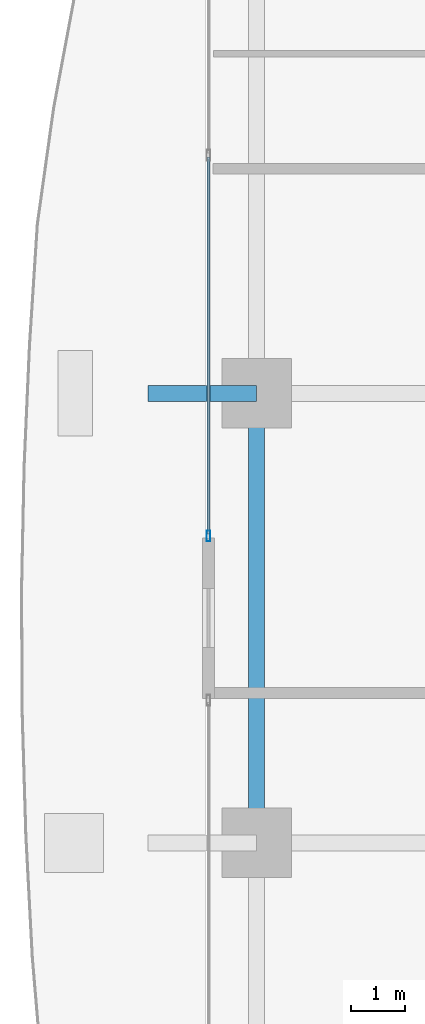
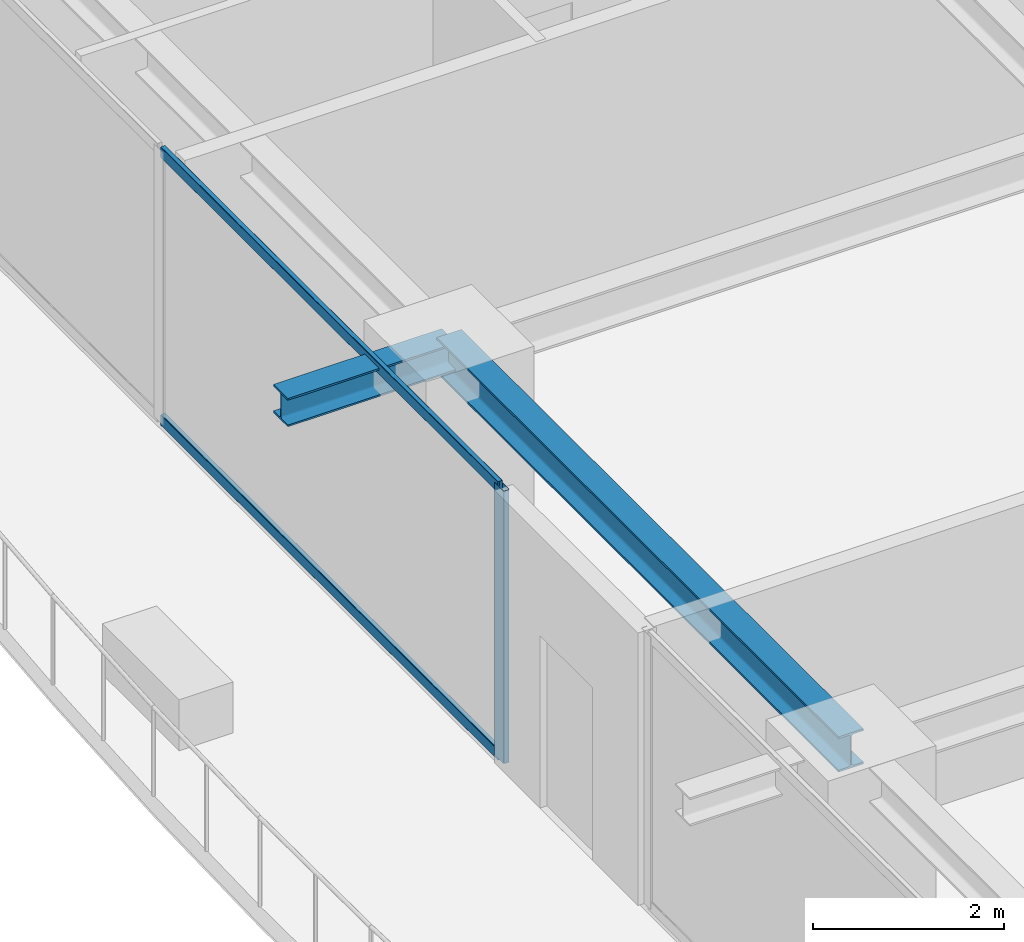
# One storey, part 9 of 35: 3 members, 2 beams, 1 element without a shape of its own.
"""IFC4 building model written with IfcOpenShell, lengths in metres."""

from ifc_helpers import new_model, si_unit, direction, frame, origin, origin_2d, place, context, subcontext, project, spatial, hollow_rectangle, i_section, extrude, source, transform, mapped, material, layer, layer_set, material_profile, profile_set, type_object, element, aggregate, save


model = new_model("IFC4")

# Units and contexts
model_context = context("Model", 3, precision=1e-05, world=origin(), true_north=direction((0.0, 1.0)))
body_context = subcontext(model_context, "Body", "Model", "MODEL_VIEW")
ifc_project = project(units=[si_unit("LENGTHUNIT", "METRE"), si_unit("AREAUNIT", "SQUARE_METRE"), si_unit("VOLUMEUNIT", "CUBIC_METRE"), si_unit("PLANEANGLEUNIT", "RADIAN"), si_unit("MASSUNIT", "GRAM", prefix="KILO")], contexts=[model_context])

# Site, building, storey
site_placement = place(None, origin())
site = spatial("IfcSite", under=ifc_project, at=site_placement, CompositionType="ELEMENT")
building_placement = place(site_placement, origin())
building = spatial("IfcBuilding", under=site, at=building_placement, Name="Serunith Strait Residences", CompositionType="ELEMENT")
storey_placement = place(building_placement, frame((0.0, 0.0, 172.64990234375)))
storey = spatial("IfcBuildingStorey", under=building, at=storey_placement, Name="L43", CompositionType="ELEMENT", Elevation=172.64990234375)

# Beams
ifc_material_1 = material(Name="Steel S355J2", Category="steel")
ifc_material_profile_1 = material_profile(ifc_material_1, i_section(OverallWidth=0.300048828125, OverallDepth=0.449951171875, WebThickness=0.013916015625, FlangeThickness=0.02587890625, FilletRadius=0.027099609375, at=origin_2d()), Name="HEB 450")
ifc_profile_set_1 = profile_set([ifc_material_profile_1], Name="Steel S355J2")
beam_type_1 = type_object("IfcBeamType", Name="BM-HEB450", PredefinedType="BEAM", material=ifc_profile_set_1)
shared_shape_1 = source(origin(), body_context, "Body", "SweptSolid", [
    extrude(i_section(OverallWidth=0.300048828125, OverallDepth=0.449951171875, WebThickness=0.013916015625, FlangeThickness=0.02587890625, FilletRadius=0.027099609375, at=origin_2d()), origin(), (0.0, 0.0, 1.0), 8.39990234375),
])
beam_1_placement = place(storey_placement, frame((8.699951171875, 29.39990234375, 3.26220703125), z_axis=(0.0, -1.0, 0.0), x_axis=(1.0, 0.0, 0.0)))
element("IfcBeam", 1, at=beam_1_placement, inside=storey, type_object=beam_type_1, Name="L43 Perimeter Ring Beam 14", PredefinedType="BEAM", context=body_context, shape_type="MappedRepresentation", body=[
    mapped(shared_shape_1, transform((0.0, 0.0, 0.0), scale=1.0)),
])
ifc_material_profile_2 = material_profile(ifc_material_1, i_section(OverallWidth=0.300048828125, OverallDepth=0.360107421875, WebThickness=0.012451171875, FlangeThickness=0.0224609375, FilletRadius=0.027099609375, at=origin_2d()), Name="HEB 360")
ifc_profile_set_2 = profile_set([ifc_material_profile_2], Name="Steel S355J2")
beam_type_2 = type_object("IfcBeamType", Name="BM-HEB360", PredefinedType="BEAM", material=ifc_profile_set_2)
shared_shape_2 = source(origin(), body_context, "Body", "SweptSolid", [
    extrude(i_section(OverallWidth=0.300048828125, OverallDepth=0.360107421875, WebThickness=0.012451171875, FlangeThickness=0.0224609375, FilletRadius=0.027099609375, at=origin_2d()), origin(), (0.0, 0.0, 1.0), 2.030029296875),
])
beam_2_placement = place(storey_placement, frame((8.699951171875, 29.39990234375, 3.277099609375), z_axis=(-1.0, 0.0, 0.0), x_axis=(0.0, -1.0, 0.0)))
element("IfcBeam", 2, at=beam_2_placement, inside=storey, type_object=beam_type_2, Name="L44 Cantilevered Balcony Rib TC-W3", PredefinedType="BEAM", context=body_context, shape_type="MappedRepresentation", body=[
    mapped(shared_shape_2, transform((0.0, 0.0, 0.0), scale=1.0)),
])

# Curtain wall, members
ifc_material_2 = material(Name="Pale-Champagne Anodised Aluminium", Category="aluminium")
ifc_layer = layer(ifc_material_2, 0.199951171875, Name="Pale-Champagne Anodised Aluminium")
ifc_layer_set = layer_set([ifc_layer], Name="Pale-Champagne Anodised Aluminium")
curtain_wall_type = type_object("IfcCurtainWallType", Name="CW-SYS2", PredefinedType="NOTDEFINED", material=ifc_layer_set)
curtain_wall_placement = place(storey_placement, origin())
curtain_wall = element("IfcCurtainWall", 3, at=curtain_wall_placement, inside=storey, type_object=curtain_wall_type, Name="L43 W Unitised Fritted Curtain Wall", PredefinedType="NOTDEFINED")
ifc_material_profile_3 = material_profile(ifc_material_2, hollow_rectangle(XDim=0.070068359375, YDim=0.199951171875, WallThickness=0.00390625, InnerFilletRadius=0.006103515625, OuterFilletRadius=0.010009765625, at=origin_2d()), Name="ALU 200x70x4")
ifc_profile_set_3 = profile_set([ifc_material_profile_3], Name="Pale-Champagne Anodised Aluminium")
member_type_1 = type_object("IfcMemberType", Name="CW-SYS2-MULL", PredefinedType="MULLION", material=ifc_profile_set_3)
shared_shape_3 = source(origin(), body_context, "Body", "SweptSolid", [
    extrude(hollow_rectangle(XDim=0.070068359375, YDim=0.199951171875, WallThickness=0.00390625, InnerFilletRadius=0.006103515625, OuterFilletRadius=0.010009765625, at=origin_2d()), origin(), (0.0, 0.0, 1.0), 3.47509765625),
])
member_1_placement = place(storey_placement, frame((7.800048828125, 26.735107421875, 0.0), z_axis=(0.0, 0.0, 1.0), x_axis=(1.0, 0.0, 0.0)))
member_1 = element("IfcMember", 4, at=member_1_placement, type_object=member_type_1, Name="CW-2 mullion 3", PredefinedType="MULLION", context=body_context, shape_type="MappedRepresentation", body=[
    mapped(shared_shape_3, transform((0.0, 0.0, 0.0), scale=1.0)),
])
ifc_material_profile_4 = material_profile(ifc_material_2, hollow_rectangle(XDim=0.06005859375, YDim=0.139892578125, WallThickness=0.00341796875, InnerFilletRadius=0.00537109375, OuterFilletRadius=0.0087890625, at=origin_2d()), Name="ALU 140x60x3.5")
ifc_profile_set_4 = profile_set([ifc_material_profile_4], Name="Pale-Champagne Anodised Aluminium")
member_type_2 = type_object("IfcMemberType", Name="CW-SYS2-TRAN", PredefinedType="USERDEFINED", material=ifc_profile_set_4)
shared_shape_4 = source(origin(), body_context, "Body", "SweptSolid", [
    extrude(hollow_rectangle(XDim=0.06005859375, YDim=0.139892578125, WallThickness=0.00341796875, InnerFilletRadius=0.00537109375, OuterFilletRadius=0.0087890625, at=origin_2d()), origin(), (0.0, 0.0, 1.0), 7.044921875),
])
member_2_placement = place(storey_placement, frame((7.800048828125, 33.81494140625, 0.030029296875), z_axis=(0.0, -1.0, 0.0), x_axis=(1.0, 0.0, 0.0)))
member_2 = element("IfcMember", 5, at=member_2_placement, type_object=member_type_2, Name="CW-2 transom 2.1", ObjectType="TRANSOM", PredefinedType="USERDEFINED", context=body_context, shape_type="MappedRepresentation", body=[
    mapped(shared_shape_4, transform((0.0, 0.0, 0.0), scale=1.0)),
])
member_3_placement = place(storey_placement, frame((7.800048828125, 33.81494140625, 3.445068359375), z_axis=(0.0, -1.0, 0.0), x_axis=(1.0, 0.0, 0.0)))
member_3 = element("IfcMember", 6, at=member_3_placement, type_object=member_type_2, Name="CW-2 transom 2.2", ObjectType="TRANSOM", PredefinedType="USERDEFINED", context=body_context, shape_type="MappedRepresentation", body=[
    mapped(shared_shape_4, transform((0.0, 0.0, 0.0), scale=1.0)),
])
aggregate(curtain_wall, [member_1, member_2, member_3])

save(model, "model.ifc")
